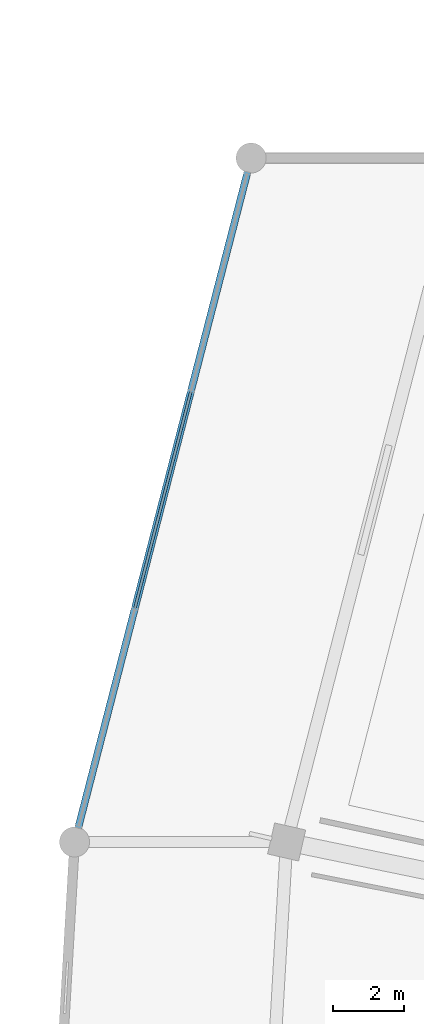
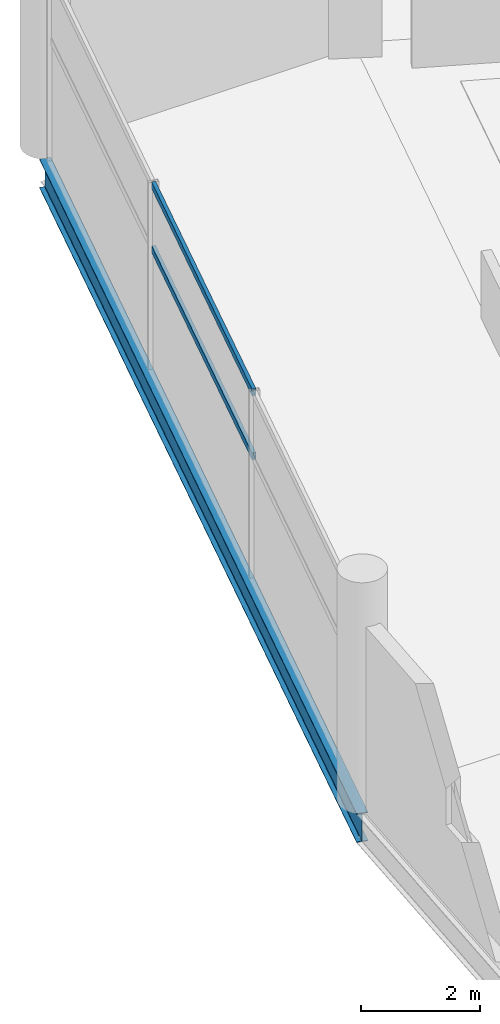
# One storey, part 34 of 156: 2 members, 1 beam, 1 element without a shape of its own.
"""IFC4 building model written with IfcOpenShell, lengths in metres."""

from ifc_helpers import new_model, si_unit, direction, frame, origin, origin_2d, place, context, subcontext, project, spatial, hollow_rectangle, i_section, extrude, material, layer, layer_set, material_profile, profile_set, type_object, element, aggregate, save


model = new_model("IFC4")

# Units and contexts
model_context = context("Model", 3, precision=1e-05, world=origin(), true_north=direction((0.0, 1.0)))
body_context = subcontext(model_context, "Body", "Model", "MODEL_VIEW")
ifc_project = project(units=[si_unit("LENGTHUNIT", "METRE"), si_unit("AREAUNIT", "SQUARE_METRE"), si_unit("VOLUMEUNIT", "CUBIC_METRE"), si_unit("PLANEANGLEUNIT", "RADIAN"), si_unit("MASSUNIT", "GRAM", prefix="KILO")], contexts=[model_context])

# Site, building, storey
site_placement = place(None, origin())
site = spatial("IfcSite", under=ifc_project, at=site_placement, CompositionType="ELEMENT")
building_placement = place(site_placement, origin())
building = spatial("IfcBuilding", under=site, at=building_placement, Name="Kazemori Nagisa Stadium", CompositionType="ELEMENT")
storey_placement = place(building_placement, frame((0.0, 0.0, 5.780029296875)))
storey = spatial("IfcBuildingStorey", under=building, at=storey_placement, Name="L01", CompositionType="ELEMENT", Elevation=5.780029296875)

# Beam
ifc_material_1 = material(Name="Steel SN490B", Category="steel")
ifc_material_profile_1 = material_profile(ifc_material_1, i_section(OverallWidth=0.199951171875, OverallDepth=0.60009765625, WebThickness=0.010986328125, FlangeThickness=0.01708984375, FilletRadius=0.012939453125, at=origin_2d()), Name="H-600x200x11x17")
ifc_profile_set_1 = profile_set([ifc_material_profile_1], Name="Steel SN490B")
beam_type = type_object("IfcBeamType", Name="Beam_BS-H600", PredefinedType="SPANDREL", material=ifc_profile_set_1)
beam_placement = place(storey_placement, frame((28.114990234375, 140.74951171875, -0.573974609375), z_axis=(-0.249964097999, -0.968255105699, 0.0), x_axis=(0.968255105699, -0.249964097999, 0.0)))
element("IfcBeam", 1, at=beam_placement, inside=storey, type_object=beam_type, Name="Boulevard edge beam BS-H600 L01 R4-13", PredefinedType="SPANDREL", context=body_context, shape_type="SweptSolid", body=[
    extrude(i_section(OverallWidth=0.199951171875, OverallDepth=0.60009765625, WebThickness=0.010986328125, FlangeThickness=0.01708984375, FilletRadius=0.012939453125, at=origin_2d()), origin(), (0.0, 0.0, 1.0), 19.986328125),
])

# Curtain wall, members
ifc_material_2 = material(Name="Anodised aluminium 6063-T5", Category="aluminium")
ifc_layer = layer(ifc_material_2, 0.179931640625, Name="Anodised aluminium 6063-T5", Category="aluminium")
ifc_layer_set = layer_set([ifc_layer], Name="Anodised aluminium 6063-T5")
curtain_wall_type = type_object("IfcCurtainWallType", Name="CW_L01R3_96", PredefinedType="USERDEFINED", material=ifc_layer_set)
curtain_wall_placement = place(storey_placement, origin())
curtain_wall = element("IfcCurtainWall", 2, at=curtain_wall_placement, inside=storey, type_object=curtain_wall_type, Name="Unitised curtain wall CW-L01R3-96 L01", ObjectType="UNITISED CURTAIN WALL", PredefinedType="USERDEFINED")
ifc_material_3 = material(Name="Aluminium 6063-T5 anodised", Category="aluminium")
ifc_material_profile_2 = material_profile(ifc_material_3, hollow_rectangle(XDim=0.070068359375, YDim=0.139892578125, WallThickness=0.00390625, at=origin_2d()), Name="ALU-TRAN-70x140x4")
ifc_profile_set_2 = profile_set([ifc_material_profile_2], Name="Aluminium 6063-T5 anodised")
member_type = type_object("IfcMemberType", Name="Transom_T01", PredefinedType="USERDEFINED", material=ifc_profile_set_2)
member_1_placement = place(storey_placement, frame((26.40771484375, 134.135986328125, 2.4638671875), z_axis=(-0.249948056089, -0.968259246926, 0.0), x_axis=(0.968259246926, -0.249948056089, 0.0)))
member_1 = element("IfcMember", 3, at=member_1_placement, type_object=member_type, Name="Curtain wall transom CW-L01R3-96-T2-mid", ObjectType="TRANSOM", PredefinedType="USERDEFINED", context=body_context, shape_type="SweptSolid", body=[
    extrude(hollow_rectangle(XDim=0.070068359375, YDim=0.139892578125, WallThickness=0.00390625, at=origin_2d()), origin(), (0.0, 0.0, 1.0), 6.325439453125),
])
member_2_placement = place(storey_placement, frame((26.40771484375, 134.135986328125, 3.780029296875), z_axis=(-0.249948056089, -0.968259246926, 0.0), x_axis=(0.968259246926, -0.249948056089, 0.0)))
member_2 = element("IfcMember", 4, at=member_2_placement, type_object=member_type, Name="Curtain wall transom CW-L01R3-96-T2-head", ObjectType="TRANSOM", PredefinedType="USERDEFINED", context=body_context, shape_type="SweptSolid", body=[
    extrude(hollow_rectangle(XDim=0.070068359375, YDim=0.139892578125, WallThickness=0.00390625, at=origin_2d()), origin(), (0.0, 0.0, 1.0), 6.325439453125),
])
aggregate(curtain_wall, [member_1, member_2])

save(model, "model.ifc")
